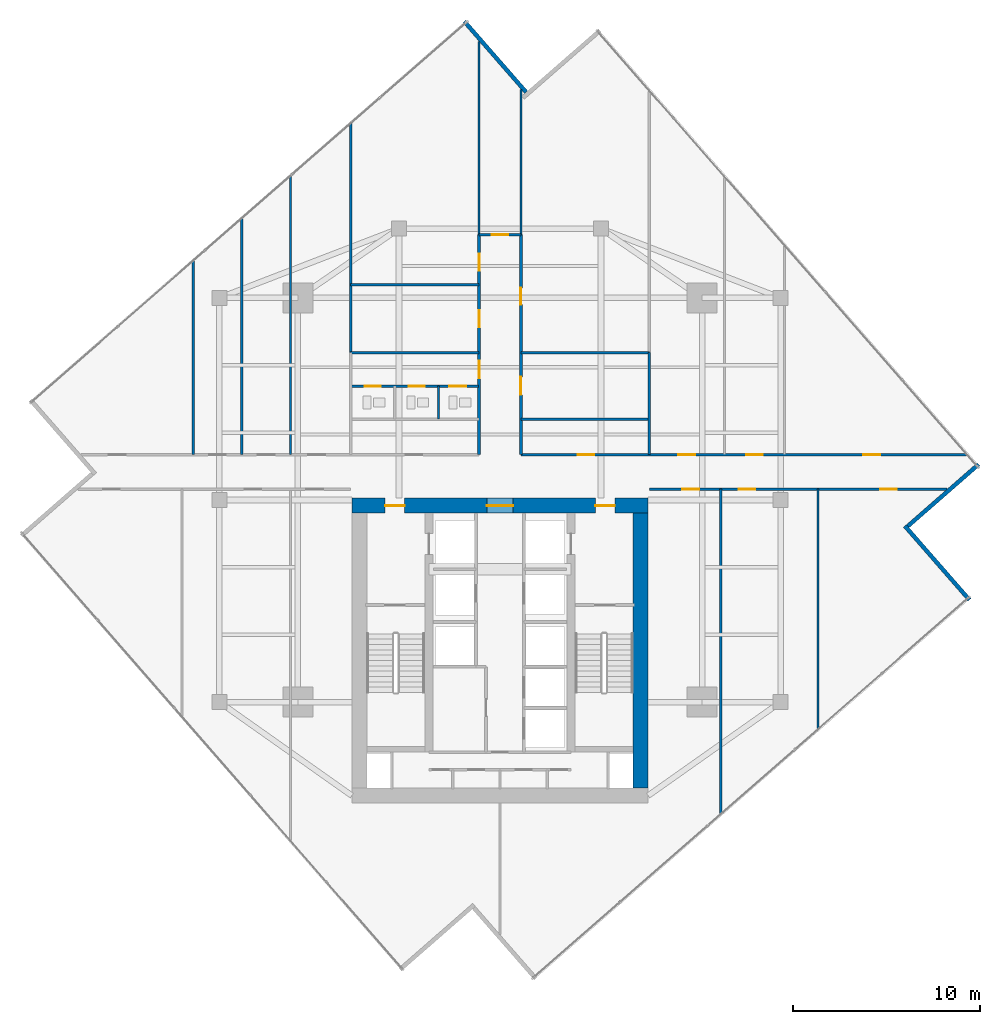
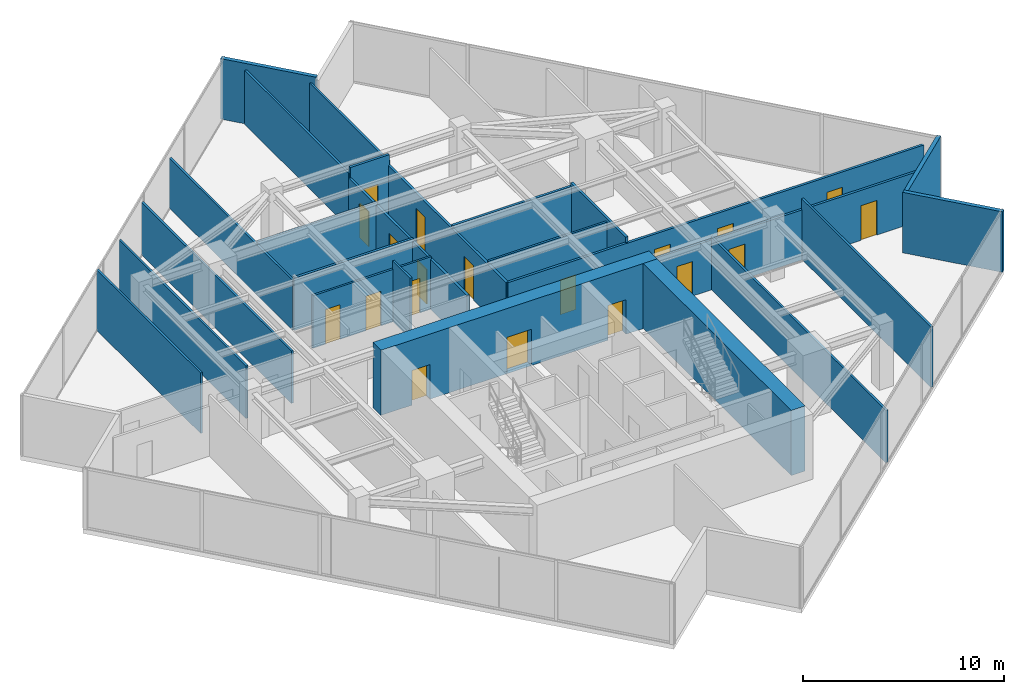
# One storey, part 21 of 24: 25 walls, 19 doors, 19 openings.
"""IFC4 building model written with IfcOpenShell, lengths in metres."""

from ifc_helpers import new_model, si_unit, direction, frame, frame_2d, origin, place, context, subcontext, project, spatial, rectangle, extrude, material, layer, layer_set, type_object, element, fill, save


model = new_model("IFC4")

# Units and contexts
model_context = context("Model", 3, precision=1e-05, world=origin(), true_north=direction((0.0, 1.0)))
body_context = subcontext(model_context, "Body", "Model", "MODEL_VIEW")
ifc_project = project(units=[si_unit("LENGTHUNIT", "METRE"), si_unit("AREAUNIT", "SQUARE_METRE"), si_unit("VOLUMEUNIT", "CUBIC_METRE"), si_unit("PLANEANGLEUNIT", "RADIAN"), si_unit("MASSUNIT", "GRAM", prefix="KILO")], contexts=[model_context])

# Site, building, storey
site_placement = place(None, origin())
site = spatial("IfcSite", under=ifc_project, at=site_placement, CompositionType="ELEMENT")
building_placement = place(site_placement, origin())
building = spatial("IfcBuilding", under=site, at=building_placement, Name="Krantzveldt Concourse Tower", CompositionType="ELEMENT")
storey_placement = place(building_placement, frame((0.0, 0.0, 254.699951171875)))
storey = spatial("IfcBuildingStorey", under=building, at=storey_placement, Name="L62", CompositionType="ELEMENT", Elevation=254.699951171875)

# Walls
ifc_material_1 = material(Name="Anodised aluminium 6063-T6", Category="aluminium")
ifc_layer_1 = layer(ifc_material_1, 0.219970703125, Name="Anodised aluminium 6063-T6", Category="aluminium")
ifc_layer_set_1 = layer_set([ifc_layer_1], Name="Anodised aluminium 6063-T6 (WL-EXT-NOTCH220)")
wall_type_1 = type_object("IfcWallType", Name="WL-EXT-NOTCH220", PredefinedType="ELEMENTEDWALL", material=ifc_layer_set_1)
wall_1_placement = place(storey_placement, frame((37.3984375, 48.497802734375, 0.0), z_axis=(0.0, 0.0, 1.0), x_axis=(-0.657706226339, 0.753274531518, 0.0)))
element("IfcWall", 1, at=wall_1_placement, inside=storey, type_object=wall_type_1, Name="EW-L62-NCH00", PredefinedType="ELEMENTEDWALL", context=body_context, shape_type="SweptSolid", body=[
    extrude(rectangle(XDim=5.02490234375, YDim=0.219970703125, at=frame_2d((2.512451171875, 0.0))), origin(), (0.0, 0.0, 1.0), 3.670166015625),
])
wall_2_placement = place(storey_placement, frame((61.09228515625, 21.361083984375, 0.0), z_axis=(0.0, 0.0, 1.0), x_axis=(-0.657710057617, 0.7532711863, 0.0)))
element("IfcWall", 2, at=wall_2_placement, inside=storey, type_object=wall_type_1, Name="EW-L62-NCH08", PredefinedType="ELEMENTEDWALL", context=body_context, shape_type="SweptSolid", body=[
    extrude(rectangle(XDim=5.2451171875, YDim=0.219970703125, at=frame_2d((2.62255859375, 0.0))), origin(), (0.0, 0.0, 1.0), 3.670166015625),
])
wall_3_placement = place(storey_placement, frame((57.7978515625, 25.301513671875, 0.0), z_axis=(0.0, 0.0, 1.0), x_axis=(0.753274531518, 0.657706226339, 0.0)))
element("IfcWall", 3, at=wall_3_placement, inside=storey, type_object=wall_type_1, Name="EW-L62-NCH09", PredefinedType="ELEMENTEDWALL", context=body_context, shape_type="SweptSolid", body=[
    extrude(rectangle(XDim=5.02490234375, YDim=0.219970703125, at=frame_2d((2.512451171875, 0.0))), origin(), (0.0, 0.0, 1.0), 3.670166015625),
])
ifc_material_2 = material(Name="Fire-rated gypsum plasterboard on steel stud", Category="steel")
ifc_layer_2 = layer(ifc_material_2, 0.1201171875, Name="Fire-rated gypsum plasterboard on steel stud", Category="steel")
ifc_layer_set_2 = layer_set([ifc_layer_2], Name="Fire-rated gypsum plasterboard on steel stud (WL-PART-120)")
wall_type_2 = type_object("IfcWallType", Name="WL-PART-120", PredefinedType="PARTITIONING", material=ifc_layer_set_2)
wall_4_placement = place(storey_placement, frame((37.1201171875, 31.02001953125, 0.0), z_axis=(0.0, 0.0, 1.0), x_axis=(1.0, 0.0, 0.0)))
element("IfcWall", 4, at=wall_4_placement, inside=storey, type_object=wall_type_2, Name="WP-L62-ISMR", PredefinedType="PARTITIONING", context=body_context, shape_type="SweptSolid", body=[
    extrude(rectangle(XDim=6.85986328125, YDim=0.1201171875, at=frame_2d((3.429931640625, 0.0))), origin(), (0.0, 0.0, 1.0), 3.179931640625),
])

# Wall, openings, doors
wall_5_placement = place(storey_placement, frame((28.050048828125, 32.780029296875, 0.0), z_axis=(0.0, 0.0, 1.0), x_axis=(1.0, 0.0, 0.0)))
wall_5 = element("IfcWall", 5, at=wall_5_placement, inside=storey, type_object=wall_type_2, Name="WP-L62-WCHDR", PredefinedType="PARTITIONING", context=body_context, shape_type="SweptSolid", body=[
    extrude(rectangle(XDim=6.800048828125, YDim=0.1201171875, at=frame_2d((3.39990234375, 0.0))), origin(), (0.0, 0.0, 1.0), 3.179931640625),
])
opening_1_placement = place(wall_5_placement, frame((0.72509765625, 0.0, 0.0)))
opening_1 = element("IfcOpeningElement", 6, at=opening_1_placement, cuts=wall_5, Name="Opening D-IN085", PredefinedType="OPENING", context=body_context, shape_type="SweptSolid", body=[
    extrude(rectangle(XDim=0.85009765625, YDim=2.10009765625, at=frame_2d((0.425048828125, 1.050048828125))), frame((0.0, 0.070068359375, 0.0), z_axis=(0.0, -1.0, 0.0), x_axis=(1.0, 0.0, 0.0)), (0.0, 0.0, 1.0), 0.14013671875),
])
opening_2_placement = place(wall_5_placement, frame((3.06494140625, 0.0, 0.0)))
opening_2 = element("IfcOpeningElement", 7, at=opening_2_placement, cuts=wall_5, Name="Opening D-IN085", PredefinedType="OPENING", context=body_context, shape_type="SweptSolid", body=[
    extrude(rectangle(XDim=0.85009765625, YDim=2.10009765625, at=frame_2d((0.425048828125, 1.050048828125))), frame((0.0, 0.070068359375, 0.0), z_axis=(0.0, -1.0, 0.0), x_axis=(1.0, 0.0, 0.0)), (0.0, 0.0, 1.0), 0.14013671875),
])
opening_3_placement = place(wall_5_placement, frame((5.25, 0.0, 0.0)))
opening_3 = element("IfcOpeningElement", 8, at=opening_3_placement, cuts=wall_5, Name="Opening D-IN090", PredefinedType="OPENING", context=body_context, shape_type="SweptSolid", body=[
    extrude(rectangle(XDim=0.89990234375, YDim=2.10009765625, at=frame_2d((0.449951171875, 1.050048828125))), frame((0.0, 0.070068359375, 0.0), z_axis=(0.0, -1.0, 0.0), x_axis=(1.0, 0.0, 0.0)), (0.0, 0.0, 1.0), 0.14013671875),
])
ifc_material_3 = material(Name="Hardwood timber", Category="wood")
door_type_1 = type_object("IfcDoorType", Name="DR-INT-850", OperationType="SINGLE_SWING_LEFT", PredefinedType="DOOR", material=ifc_material_3)
door_1_placement = place(opening_1_placement, origin())
door_1 = element("IfcDoor", 9, at=door_1_placement, inside=storey, type_object=door_type_1, Name="DR-L62-WCM", OperationType="SINGLE_SWING_LEFT", OverallHeight=2.10009765625, OverallWidth=0.85009765625, PredefinedType="DOOR", context=body_context, shape_type="SweptSolid", body=[
    extrude(rectangle(XDim=0.85009765625, YDim=2.10009765625, at=frame_2d((0.425048828125, 1.050048828125))), frame((0.0, 0.02490234375, 0.0), z_axis=(0.0, -1.0, 0.0), x_axis=(1.0, 0.0, 0.0)), (0.0, 0.0, 1.0), 0.050048828125),
])
fill(opening_1, door_1)
door_2_placement = place(opening_2_placement, origin())
door_2 = element("IfcDoor", 10, at=door_2_placement, inside=storey, type_object=door_type_1, Name="DR-L62-WCF", OperationType="SINGLE_SWING_RIGHT", OverallHeight=2.10009765625, OverallWidth=0.85009765625, PredefinedType="DOOR", context=body_context, shape_type="SweptSolid", body=[
    extrude(rectangle(XDim=0.85009765625, YDim=2.10009765625, at=frame_2d((0.425048828125, 1.050048828125))), frame((0.0, 0.02490234375, 0.0), z_axis=(0.0, -1.0, 0.0), x_axis=(1.0, 0.0, 0.0)), (0.0, 0.0, 1.0), 0.050048828125),
])
fill(opening_2, door_2)
door_type_2 = type_object("IfcDoorType", Name="DR-INT-900", OperationType="SINGLE_SWING_LEFT", PredefinedType="DOOR", material=ifc_material_3)
door_3_placement = place(opening_3_placement, origin())
door_3 = element("IfcDoor", 11, at=door_3_placement, inside=storey, type_object=door_type_2, Name="DR-L62-WCA", OperationType="SINGLE_SWING_LEFT", OverallHeight=2.10009765625, OverallWidth=0.89990234375, PredefinedType="DOOR", context=body_context, shape_type="SweptSolid", body=[
    extrude(rectangle(XDim=0.89990234375, YDim=2.10009765625, at=frame_2d((0.449951171875, 1.050048828125))), frame((0.0, 0.02490234375, 0.0), z_axis=(0.0, -1.0, 0.0), x_axis=(1.0, 0.0, 0.0)), (0.0, 0.0, 1.0), 0.050048828125),
])
fill(opening_3, door_3)

# Walls
wall_6_placement = place(storey_placement, frame((32.7099609375, 31.02001953125, 0.0), z_axis=(0.0, 0.0, 1.0), x_axis=(0.0, 1.0, 0.0)))
element("IfcWall", 12, at=wall_6_placement, inside=storey, type_object=wall_type_2, Name="WP-L62-WCD2", PredefinedType="PARTITIONING", context=body_context, shape_type="SweptSolid", body=[
    extrude(rectangle(XDim=1.760009765625, YDim=0.1201171875, at=frame_2d((0.8798828125, 0.0))), origin(), (0.0, 0.0, 1.0), 3.670166015625),
])
wall_7_placement = place(storey_placement, frame((34.8798828125, 40.8798828125, 0.0), z_axis=(0.0, 0.0, 1.0), x_axis=(0.0, 1.0, 0.0)))
element("IfcWall", 13, at=wall_7_placement, inside=storey, type_object=wall_type_2, Name="WP-L62-NTL", PredefinedType="PARTITIONING", context=body_context, shape_type="SweptSolid", body=[
    extrude(rectangle(XDim=10.32763671875, YDim=0.1201171875, at=frame_2d((5.163818359375, 0.0))), origin(), (0.0, 0.0, 1.0), 3.280029296875),
])
wall_8_placement = place(storey_placement, frame((37.1201171875, 40.8798828125, 0.0), z_axis=(0.0, 0.0, 1.0), x_axis=(0.0, 1.0, 0.0)))
element("IfcWall", 14, at=wall_8_placement, inside=storey, type_object=wall_type_2, Name="WP-L62-NTR", PredefinedType="PARTITIONING", context=body_context, shape_type="SweptSolid", body=[
    extrude(rectangle(XDim=7.76220703125, YDim=0.1201171875, at=frame_2d((3.881103515625, 0.0))), origin(), (0.0, 0.0, 1.0), 3.280029296875),
])
wall_9_placement = place(storey_placement, frame((19.60009765625, 29.1201171875, 0.0), z_axis=(0.0, 0.0, 1.0), x_axis=(0.0, 1.0, 0.0)))
element("IfcWall", 15, at=wall_9_placement, inside=storey, type_object=wall_type_2, Name="WP-L62-NWX1", PredefinedType="PARTITIONING", context=body_context, shape_type="SweptSolid", body=[
    extrude(rectangle(XDim=10.35546875, YDim=0.1201171875, at=frame_2d((5.177734375, 0.0))), origin(), (0.0, 0.0, 1.0), 3.670166015625),
])
wall_10_placement = place(storey_placement, frame((22.199951171875, 29.1201171875, 0.0), z_axis=(0.0, 0.0, 1.0), x_axis=(0.0, 1.0, 0.0)))
element("IfcWall", 16, at=wall_10_placement, inside=storey, type_object=wall_type_2, Name="WP-L62-NWX2", PredefinedType="PARTITIONING", context=body_context, shape_type="SweptSolid", body=[
    extrude(rectangle(XDim=12.625732421875, YDim=0.1201171875, at=frame_2d((6.31298828125, 0.0))), origin(), (0.0, 0.0, 1.0), 3.179931640625),
])
wall_11_placement = place(storey_placement, frame((24.800048828125, 29.1201171875, 0.0), z_axis=(0.0, 0.0, 1.0), x_axis=(0.0, 1.0, 0.0)))
element("IfcWall", 17, at=wall_11_placement, inside=storey, type_object=wall_type_2, Name="WP-L62-NWX3", PredefinedType="PARTITIONING", context=body_context, shape_type="SweptSolid", body=[
    extrude(rectangle(XDim=14.89599609375, YDim=0.1201171875, at=frame_2d((7.447998046875, 0.0))), origin(), (0.0, 0.0, 1.0), 3.179931640625),
])
wall_12_placement = place(storey_placement, frame((28.02001953125, 34.580078125, 0.0), z_axis=(0.0, 0.0, 1.0), x_axis=(0.0, 1.0, 0.0)))
element("IfcWall", 18, at=wall_12_placement, inside=storey, type_object=wall_type_2, Name="WP-L62-ISWL2", PredefinedType="PARTITIONING", context=body_context, shape_type="SweptSolid", body=[
    extrude(rectangle(XDim=12.247314453125, YDim=0.1201171875, at=frame_2d((6.12353515625, 0.0))), origin(), (0.0, 0.0, 1.0), 3.030029296875),
])
wall_13_placement = place(storey_placement, frame((28.02001953125, 38.199951171875, 0.0), z_axis=(0.0, 0.0, 1.0), x_axis=(1.0, 0.0, 0.0)))
element("IfcWall", 19, at=wall_13_placement, inside=storey, type_object=wall_type_2, Name="WP-L62-NWIY", PredefinedType="PARTITIONING", context=body_context, shape_type="SweptSolid", body=[
    extrude(rectangle(XDim=6.85986328125, YDim=0.1201171875, at=frame_2d((3.429931640625, 0.0))), origin(), (0.0, 0.0, 1.0), 3.179931640625),
])
wall_14_placement = place(storey_placement, frame((47.800048828125, 9.907958984375, 0.0), z_axis=(0.0, 0.0, 1.0), x_axis=(0.0, 1.0, 0.0)))
element("IfcWall", 20, at=wall_14_placement, inside=storey, type_object=wall_type_2, Name="WP-L62-SEX1", PredefinedType="PARTITIONING", context=body_context, shape_type="SweptSolid", body=[
    extrude(rectangle(XDim=17.3720703125, YDim=0.1201171875, at=frame_2d((8.68603515625, 0.0))), origin(), (0.0, 0.0, 1.0), 3.179931640625),
])
wall_15_placement = place(storey_placement, frame((53.0, 14.447998046875, 0.0), z_axis=(0.0, 0.0, 1.0), x_axis=(0.0, 1.0, 0.0)))
element("IfcWall", 21, at=wall_15_placement, inside=storey, type_object=wall_type_2, Name="WP-L62-SEX2", PredefinedType="PARTITIONING", context=body_context, shape_type="SweptSolid", body=[
    extrude(rectangle(XDim=12.83203125, YDim=0.1201171875, at=frame_2d((6.416015625, 0.0))), origin(), (0.0, 0.0, 1.0), 3.670166015625),
])

# Wall, openings, doors
ifc_layer_3 = layer(ifc_material_2, 0.139892578125, Name="Fire-rated gypsum plasterboard on steel stud", Category="steel")
ifc_layer_set_3 = layer_set([ifc_layer_3], Name="Fire-rated gypsum plasterboard on steel stud (WL-PART-140)")
wall_type_3 = type_object("IfcWallType", Name="WL-PART-140", PredefinedType="PARTITIONING", material=ifc_layer_set_3)
wall_16_placement = place(storey_placement, frame((34.8798828125, 29.1201171875, 0.0), z_axis=(0.0, 0.0, 1.0), x_axis=(0.0, 1.0, 0.0)))
wall_16 = element("IfcWall", 22, at=wall_16_placement, inside=storey, type_object=wall_type_3, Name="WP-L62-SPWL", PredefinedType="PARTITIONING", context=body_context, shape_type="SweptSolid", body=[
    extrude(rectangle(XDim=11.759765625, YDim=0.139892578125, at=frame_2d((5.8798828125, 0.0))), origin(), (0.0, 0.0, 1.0), 3.030029296875),
])
opening_4_placement = place(wall_16_placement, frame((4.0849609375, 0.0, 0.0)))
opening_4 = element("IfcOpeningElement", 23, at=opening_4_placement, cuts=wall_16, Name="Opening D-IN095", PredefinedType="OPENING", context=body_context, shape_type="SweptSolid", body=[
    extrude(rectangle(XDim=0.949951171875, YDim=2.10009765625, at=frame_2d((0.47509765625, 1.050048828125))), frame((0.0, 0.080078125, 0.0), z_axis=(0.0, -1.0, 0.0), x_axis=(1.0, 0.0, 0.0)), (0.0, 0.0, 1.0), 0.159912109375),
])
opening_5_placement = place(wall_16_placement, frame((6.820068359375, 0.0, 0.0)))
opening_5 = element("IfcOpeningElement", 24, at=opening_5_placement, cuts=wall_16, Name="Opening D-IN090", PredefinedType="OPENING", context=body_context, shape_type="SweptSolid", body=[
    extrude(rectangle(XDim=0.89990234375, YDim=2.10009765625, at=frame_2d((0.449951171875, 1.050048828125))), frame((0.0, 0.080078125, 0.0), z_axis=(0.0, -1.0, 0.0), x_axis=(1.0, 0.0, 0.0)), (0.0, 0.0, 1.0), 0.159912109375),
])
opening_6_placement = place(wall_16_placement, frame((9.830078125, 0.0, 0.0)))
opening_6 = element("IfcOpeningElement", 25, at=opening_6_placement, cuts=wall_16, Name="Opening D-IN090", PredefinedType="OPENING", context=body_context, shape_type="SweptSolid", body=[
    extrude(rectangle(XDim=0.89990234375, YDim=2.10009765625, at=frame_2d((0.449951171875, 1.050048828125))), frame((0.0, 0.080078125, 0.0), z_axis=(0.0, -1.0, 0.0), x_axis=(1.0, 0.0, 0.0)), (0.0, 0.0, 1.0), 0.159912109375),
])
door_4_placement = place(opening_5_placement, origin())
door_4 = element("IfcDoor", 26, at=door_4_placement, inside=storey, type_object=door_type_2, Name="DR-L62-NWI1", OperationType="SINGLE_SWING_LEFT", OverallHeight=2.10009765625, OverallWidth=0.89990234375, PredefinedType="DOOR", context=body_context, shape_type="SweptSolid", body=[
    extrude(rectangle(XDim=0.89990234375, YDim=2.10009765625, at=frame_2d((0.449951171875, 1.050048828125))), frame((0.0, 0.02490234375, 0.0), z_axis=(0.0, -1.0, 0.0), x_axis=(1.0, 0.0, 0.0)), (0.0, 0.0, 1.0), 0.050048828125),
])
fill(opening_5, door_4)
door_5_placement = place(opening_6_placement, origin())
door_5 = element("IfcDoor", 27, at=door_5_placement, inside=storey, type_object=door_type_2, Name="DR-L62-NWI2", OperationType="SINGLE_SWING_LEFT", OverallHeight=2.10009765625, OverallWidth=0.89990234375, PredefinedType="DOOR", context=body_context, shape_type="SweptSolid", body=[
    extrude(rectangle(XDim=0.89990234375, YDim=2.10009765625, at=frame_2d((0.449951171875, 1.050048828125))), frame((0.0, 0.02490234375, 0.0), z_axis=(0.0, -1.0, 0.0), x_axis=(1.0, 0.0, 0.0)), (0.0, 0.0, 1.0), 0.050048828125),
])
fill(opening_6, door_5)
door_type_3 = type_object("IfcDoorType", Name="DR-INT-950", OperationType="SINGLE_SWING_LEFT", PredefinedType="DOOR", material=ifc_material_3)
door_6_placement = place(opening_4_placement, origin())
door_6 = element("IfcDoor", 28, at=door_6_placement, inside=storey, type_object=door_type_3, Name="DR-L62-WCLB", OperationType="SINGLE_SWING_LEFT", OverallHeight=2.10009765625, OverallWidth=0.949951171875, PredefinedType="DOOR", context=body_context, shape_type="SweptSolid", body=[
    extrude(rectangle(XDim=0.949951171875, YDim=2.10009765625, at=frame_2d((0.47509765625, 1.050048828125))), frame((0.0, 0.02490234375, 0.0), z_axis=(0.0, -1.0, 0.0), x_axis=(1.0, 0.0, 0.0)), (0.0, 0.0, 1.0), 0.050048828125),
])
fill(opening_4, door_6)

wall_17_placement = place(storey_placement, frame((37.1201171875, 29.1201171875, 0.0), z_axis=(0.0, 0.0, 1.0), x_axis=(0.0, 1.0, 0.0)))
wall_17 = element("IfcWall", 29, at=wall_17_placement, inside=storey, type_object=wall_type_3, Name="WP-L62-SPER", PredefinedType="PARTITIONING", context=body_context, shape_type="SweptSolid", body=[
    extrude(rectangle(XDim=11.759765625, YDim=0.139892578125, at=frame_2d((5.8798828125, 0.0))), origin(), (0.0, 0.0, 1.0), 3.030029296875),
])
opening_7_placement = place(wall_17_placement, frame((3.205078125, 0.0, 0.0)))
opening_7 = element("IfcOpeningElement", 30, at=opening_7_placement, cuts=wall_17, Name="Opening D-IN095", PredefinedType="OPENING", context=body_context, shape_type="SweptSolid", body=[
    extrude(rectangle(XDim=0.949951171875, YDim=2.10009765625, at=frame_2d((0.47509765625, 1.050048828125))), frame((0.0, 0.080078125, 0.0), z_axis=(0.0, -1.0, 0.0), x_axis=(1.0, 0.0, 0.0)), (0.0, 0.0, 1.0), 0.159912109375),
])
opening_8_placement = place(wall_17_placement, frame((8.02001953125, 0.0, 0.0)))
opening_8 = element("IfcOpeningElement", 31, at=opening_8_placement, cuts=wall_17, Name="Opening D-IN090", PredefinedType="OPENING", context=body_context, shape_type="SweptSolid", body=[
    extrude(rectangle(XDim=0.89990234375, YDim=2.10009765625, at=frame_2d((0.449951171875, 1.050048828125))), frame((0.0, 0.080078125, 0.0), z_axis=(0.0, -1.0, 0.0), x_axis=(1.0, 0.0, 0.0)), (0.0, 0.0, 1.0), 0.159912109375),
])
door_7_placement = place(opening_8_placement, origin())
door_7 = element("IfcDoor", 32, at=door_7_placement, inside=storey, type_object=door_type_2, Name="DR-L62-NEI1", OperationType="SINGLE_SWING_LEFT", OverallHeight=2.10009765625, OverallWidth=0.89990234375, PredefinedType="DOOR", context=body_context, shape_type="SweptSolid", body=[
    extrude(rectangle(XDim=0.89990234375, YDim=2.10009765625, at=frame_2d((0.449951171875, 1.050048828125))), frame((0.0, 0.02490234375, 0.0), z_axis=(0.0, -1.0, 0.0), x_axis=(1.0, 0.0, 0.0)), (0.0, 0.0, 1.0), 0.050048828125),
])
fill(opening_8, door_7)
door_8_placement = place(opening_7_placement, origin())
door_8 = element("IfcDoor", 33, at=door_8_placement, inside=storey, type_object=door_type_3, Name="DR-L62-PNT", OperationType="SINGLE_SWING_RIGHT", OverallHeight=2.10009765625, OverallWidth=0.949951171875, PredefinedType="DOOR", context=body_context, shape_type="SweptSolid", body=[
    extrude(rectangle(XDim=0.949951171875, YDim=2.10009765625, at=frame_2d((0.47509765625, 1.050048828125))), frame((0.0, 0.02490234375, 0.0), z_axis=(0.0, -1.0, 0.0), x_axis=(1.0, 0.0, 0.0)), (0.0, 0.0, 1.0), 0.050048828125),
])
fill(opening_7, door_8)

# Wall, opening, door
wall_18_placement = place(storey_placement, frame((34.8798828125, 40.8798828125, 0.0), z_axis=(0.0, 0.0, 1.0), x_axis=(1.0, 0.0, 0.0)))
wall_18 = element("IfcWall", 34, at=wall_18_placement, inside=storey, type_object=wall_type_3, Name="WP-L62-SPTOP", PredefinedType="PARTITIONING", context=body_context, shape_type="SweptSolid", body=[
    extrude(rectangle(XDim=2.240234375, YDim=0.139892578125, at=frame_2d((1.1201171875, 0.0))), origin(), (0.0, 0.0, 1.0), 3.670166015625),
])
opening_9_placement = place(wall_18_placement, frame((0.669921875, 0.0, 0.0)))
opening_9 = element("IfcOpeningElement", 35, at=opening_9_placement, cuts=wall_18, Name="Opening D-IN090", PredefinedType="OPENING", context=body_context, shape_type="SweptSolid", body=[
    extrude(rectangle(XDim=0.89990234375, YDim=2.10009765625, at=frame_2d((0.449951171875, 1.050048828125))), frame((0.0, 0.080078125, 0.0), z_axis=(0.0, -1.0, 0.0), x_axis=(1.0, 0.0, 0.0)), (0.0, 0.0, 1.0), 0.159912109375),
])
door_9_placement = place(opening_9_placement, origin())
door_9 = element("IfcDoor", 36, at=door_9_placement, inside=storey, type_object=door_type_2, Name="DR-L62-NTOP", OperationType="SINGLE_SWING_LEFT", OverallHeight=2.10009765625, OverallWidth=0.89990234375, PredefinedType="DOOR", context=body_context, shape_type="SweptSolid", body=[
    extrude(rectangle(XDim=0.89990234375, YDim=2.10009765625, at=frame_2d((0.449951171875, 1.050048828125))), frame((0.0, 0.02490234375, 0.0), z_axis=(0.0, -1.0, 0.0), x_axis=(1.0, 0.0, 0.0)), (0.0, 0.0, 1.0), 0.050048828125),
])
fill(opening_9, door_9)

# Wall, openings, doors
wall_19_placement = place(storey_placement, frame((37.1201171875, 29.1201171875, 0.0), z_axis=(0.0, 0.0, 1.0), x_axis=(1.0, 0.0, 0.0)))
wall_19 = element("IfcWall", 37, at=wall_19_placement, inside=storey, type_object=wall_type_3, Name="WP-L62-EWNR", PredefinedType="PARTITIONING", context=body_context, shape_type="SweptSolid", body=[
    extrude(rectangle(XDim=23.86181640625, YDim=0.139892578125, at=frame_2d((11.930908203125, 0.0))), origin(), (0.0, 0.0, 1.0), 3.030029296875),
])
opening_10_placement = place(wall_19_placement, frame((3.030029296875, 0.0, 0.0)))
opening_10 = element("IfcOpeningElement", 38, at=opening_10_placement, cuts=wall_19, Name="Opening D-IN090", PredefinedType="OPENING", context=body_context, shape_type="SweptSolid", body=[
    extrude(rectangle(XDim=0.89990234375, YDim=2.10009765625, at=frame_2d((0.449951171875, 1.050048828125))), frame((0.0, 0.080078125, 0.0), z_axis=(0.0, -1.0, 0.0), x_axis=(1.0, 0.0, 0.0)), (0.0, 0.0, 1.0), 0.159912109375),
])
opening_11_placement = place(wall_19_placement, frame((8.419921875, 0.0, 0.0)))
opening_11 = element("IfcOpeningElement", 39, at=opening_11_placement, cuts=wall_19, Name="Opening D-IN090", PredefinedType="OPENING", context=body_context, shape_type="SweptSolid", body=[
    extrude(rectangle(XDim=0.89990234375, YDim=2.10009765625, at=frame_2d((0.449951171875, 1.050048828125))), frame((0.0, 0.080078125, 0.0), z_axis=(0.0, -1.0, 0.0), x_axis=(1.0, 0.0, 0.0)), (0.0, 0.0, 1.0), 0.159912109375),
])
opening_12_placement = place(wall_19_placement, frame((12.030029296875, 0.0, 0.0)))
opening_12 = element("IfcOpeningElement", 40, at=opening_12_placement, cuts=wall_19, Name="Opening D-IN090", PredefinedType="OPENING", context=body_context, shape_type="SweptSolid", body=[
    extrude(rectangle(XDim=0.89990234375, YDim=2.10009765625, at=frame_2d((0.449951171875, 1.050048828125))), frame((0.0, 0.080078125, 0.0), z_axis=(0.0, -1.0, 0.0), x_axis=(1.0, 0.0, 0.0)), (0.0, 0.0, 1.0), 0.159912109375),
])
opening_13_placement = place(wall_19_placement, frame((18.29296875, 0.0, 0.0)))
opening_13 = element("IfcOpeningElement", 41, at=opening_13_placement, cuts=wall_19, Name="Opening D-IN090", PredefinedType="OPENING", context=body_context, shape_type="SweptSolid", body=[
    extrude(rectangle(XDim=0.89990234375, YDim=2.10009765625, at=frame_2d((0.449951171875, 1.050048828125))), frame((0.0, 0.080078125, 0.0), z_axis=(0.0, -1.0, 0.0), x_axis=(1.0, 0.0, 0.0)), (0.0, 0.0, 1.0), 0.159912109375),
])
door_10_placement = place(opening_10_placement, origin())
door_10 = element("IfcDoor", 42, at=door_10_placement, inside=storey, type_object=door_type_2, Name="DR-L62-ALCR", OperationType="SINGLE_SWING_RIGHT", OverallHeight=2.10009765625, OverallWidth=0.89990234375, PredefinedType="DOOR", context=body_context, shape_type="SweptSolid", body=[
    extrude(rectangle(XDim=0.89990234375, YDim=2.10009765625, at=frame_2d((0.449951171875, 1.050048828125))), frame((0.0, 0.02490234375, 0.0), z_axis=(0.0, -1.0, 0.0), x_axis=(1.0, 0.0, 0.0)), (0.0, 0.0, 1.0), 0.050048828125),
])
fill(opening_10, door_10)
door_11_placement = place(opening_11_placement, origin())
door_11 = element("IfcDoor", 43, at=door_11_placement, inside=storey, type_object=door_type_2, Name="DR-L62-NEX1", OperationType="SINGLE_SWING_RIGHT", OverallHeight=2.10009765625, OverallWidth=0.89990234375, PredefinedType="DOOR", context=body_context, shape_type="SweptSolid", body=[
    extrude(rectangle(XDim=0.89990234375, YDim=2.10009765625, at=frame_2d((0.449951171875, 1.050048828125))), frame((0.0, 0.02490234375, 0.0), z_axis=(0.0, -1.0, 0.0), x_axis=(1.0, 0.0, 0.0)), (0.0, 0.0, 1.0), 0.050048828125),
])
fill(opening_11, door_11)
door_12_placement = place(opening_12_placement, origin())
door_12 = element("IfcDoor", 44, at=door_12_placement, inside=storey, type_object=door_type_2, Name="DR-L62-NEX2", OperationType="SINGLE_SWING_RIGHT", OverallHeight=2.10009765625, OverallWidth=0.89990234375, PredefinedType="DOOR", context=body_context, shape_type="SweptSolid", body=[
    extrude(rectangle(XDim=0.89990234375, YDim=2.10009765625, at=frame_2d((0.449951171875, 1.050048828125))), frame((0.0, 0.02490234375, 0.0), z_axis=(0.0, -1.0, 0.0), x_axis=(1.0, 0.0, 0.0)), (0.0, 0.0, 1.0), 0.050048828125),
])
fill(opening_12, door_12)
door_13_placement = place(opening_13_placement, origin())
door_13 = element("IfcDoor", 45, at=door_13_placement, inside=storey, type_object=door_type_2, Name="DR-L62-NEX3", OperationType="SINGLE_SWING_RIGHT", OverallHeight=2.10009765625, OverallWidth=0.89990234375, PredefinedType="DOOR", context=body_context, shape_type="SweptSolid", body=[
    extrude(rectangle(XDim=0.89990234375, YDim=2.10009765625, at=frame_2d((0.449951171875, 1.050048828125))), frame((0.0, 0.02490234375, 0.0), z_axis=(0.0, -1.0, 0.0), x_axis=(1.0, 0.0, 0.0)), (0.0, 0.0, 1.0), 0.050048828125),
])
fill(opening_13, door_13)

wall_20_placement = place(storey_placement, frame((44.0, 27.280029296875, 0.0), z_axis=(0.0, 0.0, 1.0), x_axis=(1.0, 0.0, 0.0)))
wall_20 = element("IfcWall", 46, at=wall_20_placement, inside=storey, type_object=wall_type_3, Name="WP-L62-EWSR", PredefinedType="PARTITIONING", context=body_context, shape_type="SweptSolid", body=[
    extrude(rectangle(XDim=15.888916015625, YDim=0.139892578125, at=frame_2d((7.9443359375, 0.0))), origin(), (0.0, 0.0, 1.0), 3.030029296875),
])
opening_14_placement = place(wall_20_placement, frame((1.75, 0.0, 0.0)))
opening_14 = element("IfcOpeningElement", 47, at=opening_14_placement, cuts=wall_20, Name="Opening D-IN090", PredefinedType="OPENING", context=body_context, shape_type="SweptSolid", body=[
    extrude(rectangle(XDim=0.89990234375, YDim=2.10009765625, at=frame_2d((0.449951171875, 1.050048828125))), frame((0.0, 0.080078125, 0.0), z_axis=(0.0, -1.0, 0.0), x_axis=(1.0, 0.0, 0.0)), (0.0, 0.0, 1.0), 0.159912109375),
])
opening_15_placement = place(wall_20_placement, frame((4.75, 0.0, 0.0)))
opening_15 = element("IfcOpeningElement", 48, at=opening_15_placement, cuts=wall_20, Name="Opening D-IN090", PredefinedType="OPENING", context=body_context, shape_type="SweptSolid", body=[
    extrude(rectangle(XDim=0.89990234375, YDim=2.10009765625, at=frame_2d((0.449951171875, 1.050048828125))), frame((0.0, 0.080078125, 0.0), z_axis=(0.0, -1.0, 0.0), x_axis=(1.0, 0.0, 0.0)), (0.0, 0.0, 1.0), 0.159912109375),
])
opening_16_placement = place(wall_20_placement, frame((12.31298828125, 0.0, 0.0)))
opening_16 = element("IfcOpeningElement", 49, at=opening_16_placement, cuts=wall_20, Name="Opening D-IN090", PredefinedType="OPENING", context=body_context, shape_type="SweptSolid", body=[
    extrude(rectangle(XDim=0.89990234375, YDim=2.10009765625, at=frame_2d((0.449951171875, 1.050048828125))), frame((0.0, 0.080078125, 0.0), z_axis=(0.0, -1.0, 0.0), x_axis=(1.0, 0.0, 0.0)), (0.0, 0.0, 1.0), 0.159912109375),
])
door_14_placement = place(opening_14_placement, origin())
door_14 = element("IfcDoor", 50, at=door_14_placement, inside=storey, type_object=door_type_2, Name="DR-L62-SEX1", OperationType="SINGLE_SWING_RIGHT", OverallHeight=2.10009765625, OverallWidth=0.89990234375, PredefinedType="DOOR", context=body_context, shape_type="SweptSolid", body=[
    extrude(rectangle(XDim=0.89990234375, YDim=2.10009765625, at=frame_2d((0.449951171875, 1.050048828125))), frame((0.0, 0.02490234375, 0.0), z_axis=(0.0, -1.0, 0.0), x_axis=(1.0, 0.0, 0.0)), (0.0, 0.0, 1.0), 0.050048828125),
])
fill(opening_14, door_14)
door_15_placement = place(opening_15_placement, origin())
door_15 = element("IfcDoor", 51, at=door_15_placement, inside=storey, type_object=door_type_2, Name="DR-L62-SEX2", OperationType="SINGLE_SWING_RIGHT", OverallHeight=2.10009765625, OverallWidth=0.89990234375, PredefinedType="DOOR", context=body_context, shape_type="SweptSolid", body=[
    extrude(rectangle(XDim=0.89990234375, YDim=2.10009765625, at=frame_2d((0.449951171875, 1.050048828125))), frame((0.0, 0.02490234375, 0.0), z_axis=(0.0, -1.0, 0.0), x_axis=(1.0, 0.0, 0.0)), (0.0, 0.0, 1.0), 0.050048828125),
])
fill(opening_15, door_15)
door_16_placement = place(opening_16_placement, origin())
door_16 = element("IfcDoor", 52, at=door_16_placement, inside=storey, type_object=door_type_2, Name="DR-L62-SEX3", OperationType="SINGLE_SWING_RIGHT", OverallHeight=2.10009765625, OverallWidth=0.89990234375, PredefinedType="DOOR", context=body_context, shape_type="SweptSolid", body=[
    extrude(rectangle(XDim=0.89990234375, YDim=2.10009765625, at=frame_2d((0.449951171875, 1.050048828125))), frame((0.0, 0.02490234375, 0.0), z_axis=(0.0, -1.0, 0.0), x_axis=(1.0, 0.0, 0.0)), (0.0, 0.0, 1.0), 0.050048828125),
])
fill(opening_16, door_16)

# Walls
for number, where, z_axis, x_axis, name in (
    (53, (28.02001953125, 34.580078125, 0.0), (0.0, 0.0, 1.0), (1.0, 0.0, 0.0), "WP-L62-ISNL"),
    (54, (37.1201171875, 34.580078125, 0.0), (0.0, 0.0, 1.0), (1.0, 0.0, 0.0), "WP-L62-ISNR"),
):
    element("IfcWall", number, at=place(storey_placement, frame(where, z_axis=z_axis, x_axis=x_axis)), inside=storey, type_object=wall_type_3, Name=name, PredefinedType="PARTITIONING", context=body_context, shape_type="SweptSolid", body=[
        extrude(rectangle(XDim=6.85986328125, YDim=0.139892578125, at=frame_2d((3.429931640625, 0.0))), origin(), (0.0, 0.0, 1.0), 3.179931640625),
    ])
wall_21_placement = place(storey_placement, frame((43.97998046875, 29.1201171875, 0.0), z_axis=(0.0, 0.0, 1.0), x_axis=(0.0, 1.0, 0.0)))
element("IfcWall", 55, at=wall_21_placement, inside=storey, type_object=wall_type_3, Name="WP-L62-ISER", PredefinedType="PARTITIONING", context=body_context, shape_type="SweptSolid", body=[
    extrude(rectangle(XDim=5.4599609375, YDim=0.139892578125, at=frame_2d((2.72998046875, 0.0))), origin(), (0.0, 0.0, 1.0), 3.3701171875),
])

# Wall, openings, doors
ifc_material_4 = material(Name="Concrete C60/75", Category="concrete")
ifc_layer_4 = layer(ifc_material_4, 0.800048828125, Name="Concrete C60/75", Category="concrete")
ifc_layer_set_4 = layer_set([ifc_layer_4], Name="Concrete C60/75 (WL-SHEAR-800)")
wall_type_4 = type_object("IfcWallType", Name="WL-SHEAR-800", PredefinedType="SHEAR", material=ifc_layer_set_4)
wall_22_placement = place(storey_placement, frame((28.080078125, 26.39990234375, 0.0), z_axis=(0.0, 0.0, 1.0), x_axis=(1.0, 0.0, 0.0)))
wall_22 = element("IfcWall", 56, at=wall_22_placement, inside=storey, type_object=wall_type_4, Name="CW-L62-N", PredefinedType="SHEAR", context=body_context, shape_type="SweptSolid", body=[
    extrude(rectangle(XDim=15.83984375, YDim=0.800048828125, at=frame_2d((7.919921875, 0.0))), origin(), (0.0, 0.0, 1.0), 3.949951171875),
])
opening_17_placement = place(wall_22_placement, frame((7.219970703125, 0.0, 0.0)))
opening_17 = element("IfcOpeningElement", 57, at=opening_17_placement, cuts=wall_22, Name="Opening D-DB140", PredefinedType="OPENING", context=body_context, shape_type="SweptSolid", body=[
    extrude(rectangle(XDim=1.39990234375, YDim=2.199951171875, at=frame_2d((0.699951171875, 1.10009765625))), frame((0.0, 0.41015625, 0.0), z_axis=(0.0, -1.0, 0.0), x_axis=(1.0, 0.0, 0.0)), (0.0, 0.0, 1.0), 0.820068359375),
])
opening_18_placement = place(wall_22_placement, frame((1.77490234375, 0.0, 0.0)))
opening_18 = element("IfcOpeningElement", 58, at=opening_18_placement, cuts=wall_22, Name="Opening D-FD105", PredefinedType="OPENING", context=body_context, shape_type="SweptSolid", body=[
    extrude(rectangle(XDim=1.050048828125, YDim=2.10009765625, at=frame_2d((0.52490234375, 1.050048828125))), frame((0.0, 0.41015625, 0.0), z_axis=(0.0, -1.0, 0.0), x_axis=(1.0, 0.0, 0.0)), (0.0, 0.0, 1.0), 0.820068359375),
])
opening_19_placement = place(wall_22_placement, frame((13.014892578125, 0.0, 0.0)))
opening_19 = element("IfcOpeningElement", 59, at=opening_19_placement, cuts=wall_22, Name="Opening D-FD105", PredefinedType="OPENING", context=body_context, shape_type="SweptSolid", body=[
    extrude(rectangle(XDim=1.050048828125, YDim=2.10009765625, at=frame_2d((0.52490234375, 1.050048828125))), frame((0.0, 0.41015625, 0.0), z_axis=(0.0, -1.0, 0.0), x_axis=(1.0, 0.0, 0.0)), (0.0, 0.0, 1.0), 0.820068359375),
])
door_type_4 = type_object("IfcDoorType", Name="DR-DBL-1400", OperationType="DOUBLE_DOOR_SINGLE_SWING", PredefinedType="DOOR", material=ifc_material_1)
door_17_placement = place(opening_17_placement, origin())
door_17 = element("IfcDoor", 60, at=door_17_placement, inside=storey, type_object=door_type_4, Name="DR-L62-LLB", OperationType="DOUBLE_DOOR_SINGLE_SWING", OverallHeight=2.199951171875, OverallWidth=1.39990234375, PredefinedType="DOOR", context=body_context, shape_type="SweptSolid", body=[
    extrude(rectangle(XDim=1.39990234375, YDim=2.199951171875, at=frame_2d((0.699951171875, 1.10009765625))), frame((0.0, 0.02490234375, 0.0), z_axis=(0.0, -1.0, 0.0), x_axis=(1.0, 0.0, 0.0)), (0.0, 0.0, 1.0), 0.050048828125),
])
fill(opening_17, door_17)
ifc_material_5 = material(Name="Galvanised steel", Category="steel")
door_type_5 = type_object("IfcDoorType", Name="DR-FD120-1050", OperationType="SINGLE_SWING_LEFT", PredefinedType="DOOR", material=ifc_material_5)
door_18_placement = place(opening_18_placement, origin())
door_18 = element("IfcDoor", 61, at=door_18_placement, inside=storey, type_object=door_type_5, Name="DR-L62-FFL1", OperationType="SINGLE_SWING_LEFT", OverallHeight=2.10009765625, OverallWidth=1.050048828125, PredefinedType="DOOR", context=body_context, shape_type="SweptSolid", body=[
    extrude(rectangle(XDim=1.050048828125, YDim=2.10009765625, at=frame_2d((0.52490234375, 1.050048828125))), frame((0.0, 0.02490234375, 0.0), z_axis=(0.0, -1.0, 0.0), x_axis=(1.0, 0.0, 0.0)), (0.0, 0.0, 1.0), 0.050048828125),
])
fill(opening_18, door_18)
door_19_placement = place(opening_19_placement, origin())
door_19 = element("IfcDoor", 62, at=door_19_placement, inside=storey, type_object=door_type_5, Name="DR-L62-FFL2", OperationType="SINGLE_SWING_RIGHT", OverallHeight=2.10009765625, OverallWidth=1.050048828125, PredefinedType="DOOR", context=body_context, shape_type="SweptSolid", body=[
    extrude(rectangle(XDim=1.050048828125, YDim=2.10009765625, at=frame_2d((0.52490234375, 1.050048828125))), frame((0.0, 0.02490234375, 0.0), z_axis=(0.0, -1.0, 0.0), x_axis=(1.0, 0.0, 0.0)), (0.0, 0.0, 1.0), 0.050048828125),
])
fill(opening_19, door_19)

# Wall
wall_23_placement = place(storey_placement, frame((43.52001953125, 11.300048828125, 0.0), z_axis=(0.0, 0.0, 1.0), x_axis=(0.0, 1.0, 0.0)))
element("IfcWall", 63, at=wall_23_placement, inside=storey, type_object=wall_type_4, Name="CW-L62-E", PredefinedType="SHEAR", context=body_context, shape_type="SweptSolid", body=[
    extrude(rectangle(XDim=14.699951171875, YDim=0.800048828125, at=frame_2d((7.35009765625, 0.0))), origin(), (0.0, 0.0, 1.0), 3.949951171875),
])

save(model, "model.ifc")
